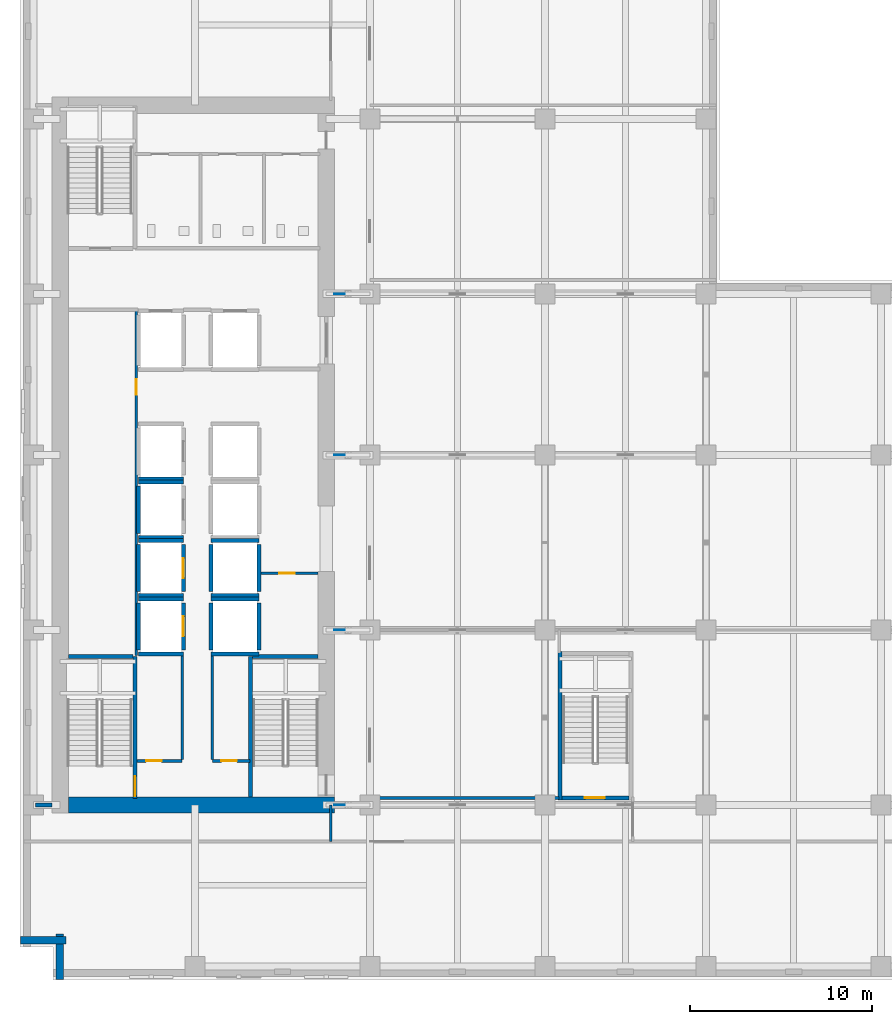
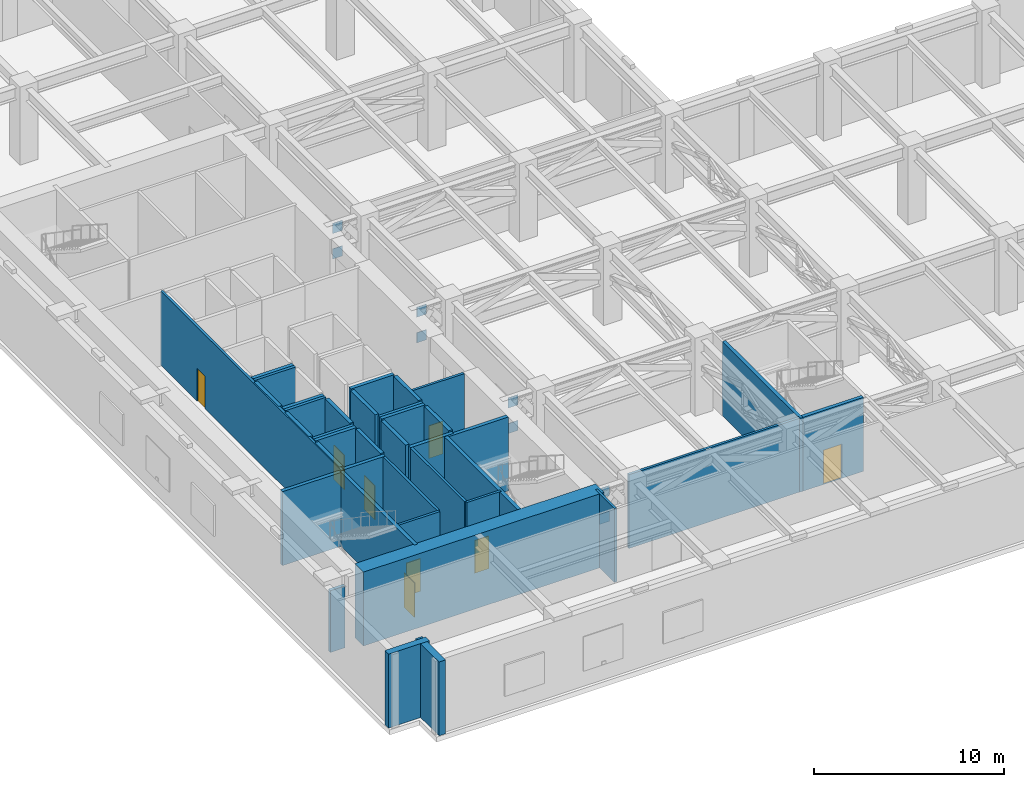
# One storey, part 13 of 22: 38 walls, 8 doors, 8 plates, 8 openings.
"""IFC4 building model written with IfcOpenShell, lengths in metres."""

from ifc_helpers import new_model, si_unit, direction, frame, frame_2d, origin, origin_2d, place, context, subcontext, project, spatial, rectangle, extrude, material, layer, layer_set, type_object, element, fill, save


model = new_model("IFC4")

# Units and contexts
model_context = context("Model", 3, precision=1e-05, world=origin(), true_north=direction((0.0, 1.0)))
body_context = subcontext(model_context, "Body", "Model", "MODEL_VIEW")
ifc_project = project(units=[si_unit("LENGTHUNIT", "METRE"), si_unit("AREAUNIT", "SQUARE_METRE"), si_unit("VOLUMEUNIT", "CUBIC_METRE"), si_unit("PLANEANGLEUNIT", "RADIAN"), si_unit("MASSUNIT", "GRAM", prefix="KILO")], contexts=[model_context])

# Site, building, storey
site_placement = place(None, origin())
site = spatial("IfcSite", under=ifc_project, at=site_placement, CompositionType="ELEMENT")
building_placement = place(site_placement, origin())
building = spatial("IfcBuilding", under=site, at=building_placement, Name="Norrvale University Quadrangle", CompositionType="ELEMENT")
storey_placement = place(building_placement, frame((0.0, 0.0, 96.39990234375)))
storey = spatial("IfcBuildingStorey", under=building, at=storey_placement, Name="L24", CompositionType="ELEMENT", Elevation=96.39990234375)

# Plates
ifc_material_1 = material(Name="Steel 350W", Category="steel")
ifc_layer_1 = layer(ifc_material_1, 0.02490234375, Name="Steel 350W")
ifc_layer_set_1 = layer_set([ifc_layer_1], Name="Steel 350W")
plate_type = type_object("IfcPlateType", Name="Plate Gusset 25", PredefinedType="USERDEFINED", material=ifc_layer_set_1)
for number, where, z_axis, x_axis, name in (
    (1, (17.530029296875, 9.60009765625, 2.425048828125), (0.0, 0.0, 1.0), (1.0, 0.0, 0.0), "Core Outrigger Embedment Gusset L24-1B"),
    (2, (17.530029296875, 9.60009765625, 4.065185546875), (0.0, 0.0, 1.0), (1.0, 0.0, 0.0), "Core Outrigger Embedment Gusset L24-1T"),
    (3, (17.530029296875, 19.199951171875, 2.425048828125), (0.0, 0.0, 1.0), (1.0, 0.0, 0.0), "Core Outrigger Embedment Gusset L24-2B"),
    (4, (17.530029296875, 19.199951171875, 4.065185546875), (0.0, 0.0, 1.0), (1.0, 0.0, 0.0), "Core Outrigger Embedment Gusset L24-2T"),
    (5, (17.530029296875, 28.800048828125, 2.425048828125), (0.0, 0.0, 1.0), (1.0, 0.0, 0.0), "Core Outrigger Embedment Gusset L24-3B"),
    (6, (17.530029296875, 28.800048828125, 4.065185546875), (0.0, 0.0, 1.0), (1.0, 0.0, 0.0), "Core Outrigger Embedment Gusset L24-3T"),
    (7, (17.530029296875, 37.64990234375, 2.425048828125), (0.0, 0.0, 1.0), (1.0, 0.0, 0.0), "Core Outrigger Embedment Gusset L24-4B"),
    (8, (17.530029296875, 37.64990234375, 4.065185546875), (0.0, 0.0, 1.0), (1.0, 0.0, 0.0), "Core Outrigger Embedment Gusset L24-4T"),
):
    element("IfcPlate", number, at=place(storey_placement, frame(where, z_axis=z_axis, x_axis=x_axis)), inside=storey, type_object=plate_type, Name=name, ObjectType="GUSSET_PLATE", PredefinedType="USERDEFINED", context=body_context, shape_type="SweptSolid", body=[
        extrude(rectangle(XDim=0.60009765625, YDim=0.02490234375, at=origin_2d()), origin(), (0.0, 0.0, 1.0), 0.64990234375),
    ])

# Wall
ifc_material_2 = material(Name="Concrete C80/95", Category="concrete")
ifc_layer_2 = layer(ifc_material_2, 0.89990234375, Name="Concrete C80/95")
ifc_layer_set_2 = layer_set([ifc_layer_2], Name="Concrete C80/95")
wall_type_1 = type_object("IfcWallType", Name="Wall Core 900", PredefinedType="SHEAR", material=ifc_layer_set_2)
wall_1_placement = place(storey_placement, frame((2.64990234375, 9.60009765625, 0.0), z_axis=(0.0, 0.0, 1.0), x_axis=(1.0, 0.0, 0.0)))
element("IfcWall", 9, at=wall_1_placement, inside=storey, type_object=wall_type_1, Name="Tower Core Shear Wall L24-S", PredefinedType="SHEAR", context=body_context, shape_type="SweptSolid", body=[
    extrude(rectangle(XDim=14.60009765625, YDim=0.89990234375, at=frame_2d((7.300048828125, 0.0))), origin(), (0.0, 0.0, 1.0), 4.739990234375),
])

# Wall, opening, door
ifc_material_3 = material(Name="Fire-Rated Gypsum Stud Partition")
ifc_layer_3 = layer(ifc_material_3, 0.14990234375, Name="Fire-Rated Gypsum Stud Partition")
ifc_layer_set_3 = layer_set([ifc_layer_3], Name="Fire-Rated Gypsum Stud Partition")
wall_type_2 = type_object("IfcWallType", Name="Wall Gypsum Corridor 150", PredefinedType="PARTITIONING", material=ifc_layer_set_3)
wall_2_placement = place(storey_placement, frame((6.419921875, 12.02001953125, 0.0), z_axis=(0.0, 0.0, 1.0), x_axis=(1.0, 0.0, 0.0)))
wall_2 = element("IfcWall", 10, at=wall_2_placement, inside=storey, type_object=wall_type_2, Name="Interior Partition WL-L24-SC-NL", PredefinedType="PARTITIONING", context=body_context, shape_type="SweptSolid", body=[
    extrude(rectangle(XDim=2.47998046875, YDim=0.14990234375, at=frame_2d((1.239990234375, 0.0))), origin(), (0.0, 0.0, 1.0), 4.739990234375),
])
opening_1_placement = place(wall_2_placement, frame((0.5, 0.0, 0.0)))
opening_1 = element("IfcOpeningElement", 11, at=opening_1_placement, cuts=wall_2, Name="Opening D10", PredefinedType="OPENING", context=body_context, shape_type="SweptSolid", body=[
    extrude(rectangle(XDim=0.85009765625, YDim=2.10009765625, at=frame_2d((0.425048828125, 1.050048828125))), frame((0.0, 0.0869140625, 0.0), z_axis=(0.0, -1.0, 0.0), x_axis=(1.0, 0.0, 0.0)), (0.0, 0.0, 1.0), 0.173828125),
])
ifc_material_4 = material(Name="Hollow Steel 350W Riser Fire Door", Category="steel")
door_type_1 = type_object("IfcDoorType", Name="Door Riser 850x2100", OperationType="NOTDEFINED", PredefinedType="DOOR", material=ifc_material_4)
door_1_placement = place(opening_1_placement, origin())
door_1 = element("IfcDoor", 12, at=door_1_placement, inside=storey, type_object=door_type_1, Name="Door Riser 850x2100 DR-L24-ELEC", OperationType="SINGLE_SWING_LEFT", OverallHeight=2.10009765625, OverallWidth=0.85009765625, PredefinedType="DOOR", context=body_context, shape_type="SweptSolid", body=[
    extrude(rectangle(XDim=0.85009765625, YDim=2.10009765625, at=frame_2d((0.425048828125, 1.050048828125))), frame((0.0, 0.02490234375, 0.0), z_axis=(0.0, -1.0, 0.0), x_axis=(1.0, 0.0, 0.0)), (0.0, 0.0, 1.0), 0.050048828125),
])
fill(opening_1, door_1)

wall_3_placement = place(storey_placement, frame((10.550048828125, 12.02001953125, 0.0), z_axis=(0.0, 0.0, 1.0), x_axis=(1.0, 0.0, 0.0)))
wall_3 = element("IfcWall", 13, at=wall_3_placement, inside=storey, type_object=wall_type_2, Name="Interior Partition WL-L24-SC-NR", PredefinedType="PARTITIONING", context=body_context, shape_type="SweptSolid", body=[
    extrude(rectangle(XDim=2.079833984375, YDim=0.14990234375, at=frame_2d((1.0400390625, 0.0))), origin(), (0.0, 0.0, 1.0), 4.739990234375),
])
opening_2_placement = place(wall_3_placement, frame((0.5, 0.0, 0.0)))
opening_2 = element("IfcOpeningElement", 14, at=opening_2_placement, cuts=wall_3, Name="Opening D10", PredefinedType="OPENING", context=body_context, shape_type="SweptSolid", body=[
    extrude(rectangle(XDim=0.85009765625, YDim=2.10009765625, at=frame_2d((0.425048828125, 1.050048828125))), frame((0.0, 0.0869140625, 0.0), z_axis=(0.0, -1.0, 0.0), x_axis=(1.0, 0.0, 0.0)), (0.0, 0.0, 1.0), 0.173828125),
])
door_2_placement = place(opening_2_placement, origin())
door_2 = element("IfcDoor", 15, at=door_2_placement, inside=storey, type_object=door_type_1, Name="Door Riser 850x2100 DR-L24-IDF", OperationType="SINGLE_SWING_RIGHT", OverallHeight=2.10009765625, OverallWidth=0.85009765625, PredefinedType="DOOR", context=body_context, shape_type="SweptSolid", body=[
    extrude(rectangle(XDim=0.85009765625, YDim=2.10009765625, at=frame_2d((0.425048828125, 1.050048828125))), frame((0.0, 0.02490234375, 0.0), z_axis=(0.0, -1.0, 0.0), x_axis=(1.0, 0.0, 0.0)), (0.0, 0.0, 1.0), 0.050048828125),
])
fill(opening_2, door_2)

# Walls
for number, where, z_axis, x_axis, name in (
    (16, (8.89990234375, 12.094970703125, 0.0), (0.0, 0.0, 1.0), (0.0, 1.0, 0.0), "Interior Partition WL-L24-SC-WL"),
    (17, (10.550048828125, 12.094970703125, 0.0), (0.0, 0.0, 1.0), (0.0, 1.0, 0.0), "Interior Partition WL-L24-SC-WR"),
):
    element("IfcWall", number, at=place(storey_placement, frame(where, z_axis=z_axis, x_axis=x_axis)), inside=storey, type_object=wall_type_2, Name=name, PredefinedType="PARTITIONING", context=body_context, shape_type="SweptSolid", body=[
        extrude(rectangle(XDim=5.679931640625, YDim=0.14990234375, at=frame_2d((2.83984375, 0.0))), origin(), (0.0, 0.0, 1.0), 4.739990234375),
    ])

# Wall, opening, door
wall_4_placement = place(storey_placement, frame((13.22509765625, 22.320068359375, 0.0), z_axis=(0.0, 0.0, 1.0), x_axis=(1.0, 0.0, 0.0)))
wall_4 = element("IfcWall", 18, at=wall_4_placement, inside=storey, type_object=wall_type_2, Name="Interior Partition WL-L24-JAN-N", PredefinedType="PARTITIONING", context=body_context, shape_type="SweptSolid", body=[
    extrude(rectangle(XDim=3.119873046875, YDim=0.14990234375, at=frame_2d((1.56005859375, 0.0))), origin(), (0.0, 0.0, 1.0), 4.739990234375),
])
opening_3_placement = place(wall_4_placement, frame((1.0, 0.0, 0.0)))
opening_3 = element("IfcOpeningElement", 19, at=opening_3_placement, cuts=wall_4, Name="Opening D10", PredefinedType="OPENING", context=body_context, shape_type="SweptSolid", body=[
    extrude(rectangle(XDim=0.85009765625, YDim=2.10009765625, at=frame_2d((0.425048828125, 1.050048828125))), frame((0.0, 0.0869140625, 0.0), z_axis=(0.0, -1.0, 0.0), x_axis=(1.0, 0.0, 0.0)), (0.0, 0.0, 1.0), 0.173828125),
])
door_3_placement = place(opening_3_placement, origin())
door_3 = element("IfcDoor", 20, at=door_3_placement, inside=storey, type_object=door_type_1, Name="Door Riser 850x2100 DR-L24-JAN", OperationType="SINGLE_SWING_LEFT", OverallHeight=2.10009765625, OverallWidth=0.85009765625, PredefinedType="DOOR", context=body_context, shape_type="SweptSolid", body=[
    extrude(rectangle(XDim=0.85009765625, YDim=2.10009765625, at=frame_2d((0.425048828125, 1.050048828125))), frame((0.0, 0.02490234375, 0.0), z_axis=(0.0, -1.0, 0.0), x_axis=(1.0, 0.0, 0.0)), (0.0, 0.0, 1.0), 0.050048828125),
])
fill(opening_3, door_3)

wall_5_placement = place(storey_placement, frame((6.3798828125, 17.800048828125, 0.0), z_axis=(0.0, 0.0, 1.0), x_axis=(0.0, 1.0, 0.0)))
wall_5 = element("IfcWall", 21, at=wall_5_placement, inside=storey, type_object=wall_type_2, Name="Interior Partition WL-L24-WME-E", PredefinedType="PARTITIONING", context=body_context, shape_type="SweptSolid", body=[
    extrude(rectangle(XDim=18.97998046875, YDim=0.14990234375, at=frame_2d((9.489990234375, 0.0))), origin(), (0.0, 0.0, 1.0), 4.739990234375),
])
opening_4_placement = place(wall_5_placement, frame((14.300048828125, 0.0, 0.0)))
opening_4 = element("IfcOpeningElement", 22, at=opening_4_placement, cuts=wall_5, Name="Opening D10", PredefinedType="OPENING", context=body_context, shape_type="SweptSolid", body=[
    extrude(rectangle(XDim=0.85009765625, YDim=2.10009765625, at=frame_2d((0.425048828125, 1.050048828125))), frame((0.0, 0.0869140625, 0.0), z_axis=(0.0, -1.0, 0.0), x_axis=(1.0, 0.0, 0.0)), (0.0, 0.0, 1.0), 0.173828125),
])
door_4_placement = place(opening_4_placement, origin())
door_4 = element("IfcDoor", 23, at=door_4_placement, inside=storey, type_object=door_type_1, Name="Door Riser 850x2100 DR-L24-WME", OperationType="SINGLE_SWING_LEFT", OverallHeight=2.10009765625, OverallWidth=0.85009765625, PredefinedType="DOOR", context=body_context, shape_type="SweptSolid", body=[
    extrude(rectangle(XDim=0.85009765625, YDim=2.10009765625, at=frame_2d((0.425048828125, 1.050048828125))), frame((0.0, 0.02490234375, 0.0), z_axis=(0.0, -1.0, 0.0), x_axis=(1.0, 0.0, 0.0)), (0.0, 0.0, 1.0), 0.050048828125),
])
fill(opening_4, door_4)

# Walls
wall_6_placement = place(storey_placement, frame((17.050048828125, 7.60009765625, 0.0), z_axis=(0.0, 0.0, 1.0), x_axis=(0.0, 1.0, 0.0)))
element("IfcWall", 24, at=wall_6_placement, inside=storey, type_object=wall_type_2, Name="Interior Partition WL-L24-PCSW", PredefinedType="PARTITIONING", context=body_context, shape_type="SweptSolid", body=[
    extrude(rectangle(XDim=2.0, YDim=0.14990234375, at=frame_2d((1.0, 0.0))), origin(), (0.0, 0.0, 1.0), 4.739990234375),
])
wall_7_placement = place(storey_placement, frame((19.199951171875, 9.97998046875, 0.0), z_axis=(0.0, 0.0, 1.0), x_axis=(1.0, 0.0, 0.0)))
element("IfcWall", 25, at=wall_7_placement, inside=storey, type_object=wall_type_2, Name="Interior Partition WL-L24-SUB-S", PredefinedType="PARTITIONING", context=body_context, shape_type="SweptSolid", body=[
    extrude(rectangle(XDim=10.380126953125, YDim=0.14990234375, at=frame_2d((5.18994140625, 0.0))), origin(), (0.0, 0.0, 1.0), 4.739990234375),
])
ifc_material_5 = material(Name="Concrete Blockwork 20 MPa Rated Wall", Category="masonry")
ifc_layer_4 = layer(ifc_material_5, 0.199951171875, Name="Concrete Blockwork 20 MPa Rated Wall")
ifc_layer_set_4 = layer_set([ifc_layer_4], Name="Concrete Blockwork 20 MPa Rated Wall")
wall_type_3 = type_object("IfcWallType", Name="Wall Lobby 200", PredefinedType="SOLIDWALL", material=ifc_layer_set_4)
wall_8_placement = place(storey_placement, frame((0.85009765625, 9.60009765625, 0.0), z_axis=(0.0, 0.0, 1.0), x_axis=(1.0, 0.0, 0.0)))
element("IfcWall", 26, at=wall_8_placement, inside=storey, type_object=wall_type_3, Name="Interior Partition WL-L24-CWRET-S", PredefinedType="SOLIDWALL", context=body_context, shape_type="SweptSolid", body=[
    extrude(rectangle(XDim=0.89501953125, YDim=0.199951171875, at=frame_2d((0.447509765625, 0.0))), origin(), (0.0, 0.0, 1.0), 3.967041015625),
])
ifc_material_6 = material(Name="Red Manganese Brick Masonry", Category="masonry")
ifc_layer_5 = layer(ifc_material_6, 0.39990234375, Name="Red Manganese Brick Masonry")
ifc_layer_set_5 = layer_set([ifc_layer_5], Name="Red Manganese Brick Masonry")
wall_type_4 = type_object("IfcWallType", Name="Wall Red Brick 400", PredefinedType="SOLIDWALL", material=ifc_layer_set_5)
for number, where, z_axis, x_axis, name in (
    (27, (0.0400390625, 2.179931640625, 0.0), (0.0, 0.0, 1.0), (1.0, 0.0, 0.0), "Exterior Brick Facade Wall L24-15.1"),
    (28, (2.179931640625, 2.52001953125, 0.0), (0.0, 0.0, 1.0), (0.0, -1.0, 0.0), "Exterior Brick Facade Wall L24-16.1"),
):
    element("IfcWall", number, at=place(storey_placement, frame(where, z_axis=z_axis, x_axis=x_axis)), inside=storey, type_object=wall_type_4, Name=name, PredefinedType="SOLIDWALL", context=body_context, shape_type="SweptSolid", body=[
        extrude(rectangle(XDim=2.47998046875, YDim=0.39990234375, at=frame_2d((1.239990234375, 0.0))), origin(), (0.0, 0.0, 1.0), 4.739990234375),
    ])

# Wall, opening, door
ifc_material_7 = material(Name="Concrete Blockwork 20 MPa Fire Shaft", Category="masonry")
ifc_layer_6 = layer(ifc_material_7, 0.219970703125, Name="Concrete Blockwork 20 MPa Fire Shaft")
ifc_layer_set_6 = layer_set([ifc_layer_6], Name="Concrete Blockwork 20 MPa Fire Shaft")
wall_type_5 = type_object("IfcWallType", Name="Wall Shaft 220", PredefinedType="SOLIDWALL", material=ifc_layer_set_6)
wall_9_placement = place(storey_placement, frame((6.31005859375, 9.949951171875, 0.0), z_axis=(0.0, 0.0, 1.0), x_axis=(0.0, 1.0, 0.0)))
wall_9 = element("IfcWall", 29, at=wall_9_placement, inside=storey, type_object=wall_type_5, Name="Stair ST-01 East Shaft Wall L24", PredefinedType="SOLIDWALL", context=body_context, shape_type="SweptSolid", body=[
    extrude(rectangle(XDim=7.81005859375, YDim=0.219970703125, at=frame_2d((3.905029296875, 0.0))), origin(), (0.0, 0.0, 1.0), 4.739990234375),
])
opening_5_placement = place(wall_9_placement, frame((0.139892578125, 0.0, 0.0)))
opening_5 = element("IfcOpeningElement", 30, at=opening_5_placement, cuts=wall_9, Name="Opening D02", PredefinedType="OPENING", context=body_context, shape_type="SweptSolid", body=[
    extrude(rectangle(XDim=1.10009765625, YDim=2.199951171875, at=frame_2d((0.550048828125, 1.10009765625))), frame((0.0, 0.1220703125, 0.0), z_axis=(0.0, -1.0, 0.0), x_axis=(1.0, 0.0, 0.0)), (0.0, 0.0, 1.0), 0.243896484375),
])
ifc_material_8 = material(Name="Hollow Steel 350W Fire Door", Category="steel")
door_type_2 = type_object("IfcDoorType", Name="Door Stair Exit 1100x2200", OperationType="NOTDEFINED", PredefinedType="DOOR", material=ifc_material_8)
door_5_placement = place(opening_5_placement, origin())
door_5 = element("IfcDoor", 31, at=door_5_placement, inside=storey, type_object=door_type_2, Name="Door Stair Exit 1100x2200 DR-L24-ST01", OperationType="SINGLE_SWING_LEFT", OverallHeight=2.199951171875, OverallWidth=1.10009765625, PredefinedType="DOOR", context=body_context, shape_type="SweptSolid", body=[
    extrude(rectangle(XDim=1.10009765625, YDim=2.199951171875, at=frame_2d((0.550048828125, 1.10009765625))), frame((0.0, 0.02490234375, 0.0), z_axis=(0.0, -1.0, 0.0), x_axis=(1.0, 0.0, 0.0)), (0.0, 0.0, 1.0), 0.050048828125),
])
fill(opening_5, door_5)

# Walls
wall_10_placement = place(storey_placement, frame((2.64990234375, 17.760009765625, 0.0), z_axis=(0.0, 0.0, 1.0), x_axis=(1.0, 0.0, 0.0)))
element("IfcWall", 32, at=wall_10_placement, inside=storey, type_object=wall_type_5, Name="Stair ST-01 North Shaft Wall L24", PredefinedType="SOLIDWALL", context=body_context, shape_type="SweptSolid", body=[
    extrude(rectangle(XDim=3.550048828125, YDim=0.219970703125, at=frame_2d((1.77490234375, 0.0))), origin(), (0.0, 0.0, 1.0), 4.739990234375),
])
wall_11_placement = place(storey_placement, frame((12.639892578125, 10.050048828125, 0.0), z_axis=(0.0, 0.0, 1.0), x_axis=(0.0, 1.0, 0.0)))
element("IfcWall", 33, at=wall_11_placement, inside=storey, type_object=wall_type_5, Name="Stair ST-03 West Shaft Wall L24", PredefinedType="SOLIDWALL", context=body_context, shape_type="SweptSolid", body=[
    extrude(rectangle(XDim=7.7099609375, YDim=0.219970703125, at=frame_2d((3.85498046875, 0.0))), origin(), (0.0, 0.0, 1.0), 4.739990234375),
])
wall_12_placement = place(storey_placement, frame((12.75, 17.760009765625, 0.0), z_axis=(0.0, 0.0, 1.0), x_axis=(1.0, 0.0, 0.0)))
element("IfcWall", 34, at=wall_12_placement, inside=storey, type_object=wall_type_5, Name="Stair ST-03 North Shaft Wall L24", PredefinedType="SOLIDWALL", context=body_context, shape_type="SweptSolid", body=[
    extrude(rectangle(XDim=3.60009765625, YDim=0.219970703125, at=frame_2d((1.800048828125, 0.0))), origin(), (0.0, 0.0, 1.0), 4.739990234375),
])

# Wall, opening, door
wall_13_placement = place(storey_placement, frame((29.75, 9.989990234375, 0.0), z_axis=(0.0, 0.0, 1.0), x_axis=(1.0, 0.0, 0.0)))
wall_13 = element("IfcWall", 35, at=wall_13_placement, inside=storey, type_object=wall_type_5, Name="Stair ST-04 South Shaft Wall L24", PredefinedType="SOLIDWALL", context=body_context, shape_type="SweptSolid", body=[
    extrude(rectangle(XDim=3.64990234375, YDim=0.219970703125, at=frame_2d((1.824951171875, 0.0))), origin(), (0.0, 0.0, 1.0), 4.739990234375),
])
opening_6_placement = place(wall_13_placement, frame((1.239990234375, 0.0, 0.0)))
opening_6 = element("IfcOpeningElement", 36, at=opening_6_placement, cuts=wall_13, Name="Opening D02", PredefinedType="OPENING", context=body_context, shape_type="SweptSolid", body=[
    extrude(rectangle(XDim=1.10009765625, YDim=2.199951171875, at=frame_2d((0.550048828125, 1.10009765625))), frame((0.0, 0.1220703125, 0.0), z_axis=(0.0, -1.0, 0.0), x_axis=(1.0, 0.0, 0.0)), (0.0, 0.0, 1.0), 0.243896484375),
])
door_6_placement = place(opening_6_placement, origin())
door_6 = element("IfcDoor", 37, at=door_6_placement, inside=storey, type_object=door_type_2, Name="Door Stair Exit 1100x2200 DR-L24-ST04", OperationType="SINGLE_SWING_LEFT", OverallHeight=2.199951171875, OverallWidth=1.10009765625, PredefinedType="DOOR", context=body_context, shape_type="SweptSolid", body=[
    extrude(rectangle(XDim=1.10009765625, YDim=2.199951171875, at=frame_2d((0.550048828125, 1.10009765625))), frame((0.0, 0.02490234375, 0.0), z_axis=(0.0, -1.0, 0.0), x_axis=(1.0, 0.0, 0.0)), (0.0, 0.0, 1.0), 0.050048828125),
])
fill(opening_6, door_6)

# Walls
wall_14_placement = place(storey_placement, frame((29.639892578125, 9.8798828125, 0.0), z_axis=(0.0, 0.0, 1.0), x_axis=(0.0, 1.0, 0.0)))
element("IfcWall", 38, at=wall_14_placement, inside=storey, type_object=wall_type_5, Name="Stair ST-04 West Shaft Wall L24", PredefinedType="SOLIDWALL", context=body_context, shape_type="SweptSolid", body=[
    extrude(rectangle(XDim=8.14013671875, YDim=0.219970703125, at=frame_2d((4.070068359375, 0.0))), origin(), (0.0, 0.0, 1.0), 4.739990234375),
])
wall_15_placement = place(storey_placement, frame((6.489990234375, 18.110107421875, 0.0), z_axis=(0.0, 0.0, 1.0), x_axis=(0.0, 1.0, 0.0)))
element("IfcWall", 39, at=wall_15_placement, inside=storey, type_object=wall_type_5, Name="Hoistway PL-01 West Wall L24", PredefinedType="SOLIDWALL", context=body_context, shape_type="SweptSolid", body=[
    extrude(rectangle(XDim=2.579833984375, YDim=0.219970703125, at=frame_2d((1.2900390625, 0.0))), origin(), (0.0, 0.0, 1.0), 4.739990234375),
])

# Wall, opening, door
wall_16_placement = place(storey_placement, frame((8.9599609375, 18.110107421875, 0.0), z_axis=(0.0, 0.0, 1.0), x_axis=(0.0, 1.0, 0.0)))
wall_16 = element("IfcWall", 40, at=wall_16_placement, inside=storey, type_object=wall_type_5, Name="Hoistway PL-01 East Wall L24", PredefinedType="SOLIDWALL", context=body_context, shape_type="SweptSolid", body=[
    extrude(rectangle(XDim=2.579833984375, YDim=0.219970703125, at=frame_2d((1.2900390625, 0.0))), origin(), (0.0, 0.0, 1.0), 4.739990234375),
])
opening_7_placement = place(wall_16_placement, frame((0.739990234375, 0.0, 0.0)))
opening_7 = element("IfcOpeningElement", 41, at=opening_7_placement, cuts=wall_16, Name="Opening LD1", PredefinedType="OPENING", context=body_context, shape_type="SweptSolid", body=[
    extrude(rectangle(XDim=1.10009765625, YDim=2.199951171875, at=frame_2d((0.550048828125, 1.10009765625))), frame((0.0, 0.1220703125, 0.0), z_axis=(0.0, -1.0, 0.0), x_axis=(1.0, 0.0, 0.0)), (0.0, 0.0, 1.0), 0.243896484375),
])
ifc_material_9 = material(Name="Stainless Steel 316L Lift Landing Door", Category="steel")
door_type_3 = type_object("IfcDoorType", Name="Door Lift Landing 1100x2200", OperationType="DOUBLE_DOOR_SLIDING", PredefinedType="DOOR", material=ifc_material_9)
door_7_placement = place(opening_7_placement, origin())
door_7 = element("IfcDoor", 42, at=door_7_placement, inside=storey, type_object=door_type_3, Name="Elevator Landing Door DR-L24-PL-01", OperationType="DOUBLE_DOOR_SLIDING", OverallHeight=2.199951171875, OverallWidth=1.10009765625, PredefinedType="DOOR", context=body_context, shape_type="SweptSolid", body=[
    extrude(rectangle(XDim=1.10009765625, YDim=2.199951171875, at=frame_2d((0.550048828125, 1.10009765625))), frame((0.0, 0.02490234375, 0.0), z_axis=(0.0, -1.0, 0.0), x_axis=(1.0, 0.0, 0.0)), (0.0, 0.0, 1.0), 0.050048828125),
])
fill(opening_7, door_7)

# Walls
for number, where, z_axis, x_axis, name in (
    (43, (6.489990234375, 17.889892578125, 0.0), (0.0, 0.0, 1.0), (1.0, 0.0, 0.0), "Hoistway PL-01 South Wall L24"),
    (44, (6.489990234375, 20.909912109375, 0.0), (0.0, 0.0, 1.0), (1.0, 0.0, 0.0), "Hoistway PL-01 North Wall L24"),
):
    element("IfcWall", number, at=place(storey_placement, frame(where, z_axis=z_axis, x_axis=x_axis)), inside=storey, type_object=wall_type_5, Name=name, PredefinedType="SOLIDWALL", context=body_context, shape_type="SweptSolid", body=[
        extrude(rectangle(XDim=2.469970703125, YDim=0.219970703125, at=frame_2d((1.23486328125, 0.0))), origin(), (0.0, 0.0, 1.0), 4.739990234375),
    ])
wall_17_placement = place(storey_placement, frame((6.489990234375, 21.31005859375, 0.0), z_axis=(0.0, 0.0, 1.0), x_axis=(0.0, 1.0, 0.0)))
element("IfcWall", 45, at=wall_17_placement, inside=storey, type_object=wall_type_5, Name="Hoistway PL-02 West Wall L24", PredefinedType="SOLIDWALL", context=body_context, shape_type="SweptSolid", body=[
    extrude(rectangle(XDim=2.579833984375, YDim=0.219970703125, at=frame_2d((1.2900390625, 0.0))), origin(), (0.0, 0.0, 1.0), 4.739990234375),
])

# Wall, opening, door
wall_18_placement = place(storey_placement, frame((8.9599609375, 21.31005859375, 0.0), z_axis=(0.0, 0.0, 1.0), x_axis=(0.0, 1.0, 0.0)))
wall_18 = element("IfcWall", 46, at=wall_18_placement, inside=storey, type_object=wall_type_5, Name="Hoistway PL-02 East Wall L24", PredefinedType="SOLIDWALL", context=body_context, shape_type="SweptSolid", body=[
    extrude(rectangle(XDim=2.579833984375, YDim=0.219970703125, at=frame_2d((1.2900390625, 0.0))), origin(), (0.0, 0.0, 1.0), 4.739990234375),
])
opening_8_placement = place(wall_18_placement, frame((0.739990234375, 0.0, 0.0)))
opening_8 = element("IfcOpeningElement", 47, at=opening_8_placement, cuts=wall_18, Name="Opening LD1", PredefinedType="OPENING", context=body_context, shape_type="SweptSolid", body=[
    extrude(rectangle(XDim=1.10009765625, YDim=2.199951171875, at=frame_2d((0.550048828125, 1.10009765625))), frame((0.0, 0.1220703125, 0.0), z_axis=(0.0, -1.0, 0.0), x_axis=(1.0, 0.0, 0.0)), (0.0, 0.0, 1.0), 0.243896484375),
])
door_8_placement = place(opening_8_placement, origin())
door_8 = element("IfcDoor", 48, at=door_8_placement, inside=storey, type_object=door_type_3, Name="Elevator Landing Door DR-L24-PL-02", OperationType="DOUBLE_DOOR_SLIDING", OverallHeight=2.199951171875, OverallWidth=1.10009765625, PredefinedType="DOOR", context=body_context, shape_type="SweptSolid", body=[
    extrude(rectangle(XDim=1.10009765625, YDim=2.199951171875, at=frame_2d((0.550048828125, 1.10009765625))), frame((0.0, 0.02490234375, 0.0), z_axis=(0.0, -1.0, 0.0), x_axis=(1.0, 0.0, 0.0)), (0.0, 0.0, 1.0), 0.050048828125),
])
fill(opening_8, door_8)

# Walls
for number, where, z_axis, x_axis, name in (
    (49, (6.489990234375, 21.090087890625, 0.0), (0.0, 0.0, 1.0), (1.0, 0.0, 0.0), "Hoistway PL-02 South Wall L24"),
    (50, (6.489990234375, 24.110107421875, 0.0), (0.0, 0.0, 1.0), (1.0, 0.0, 0.0), "Hoistway PL-02 North Wall L24"),
):
    element("IfcWall", number, at=place(storey_placement, frame(where, z_axis=z_axis, x_axis=x_axis)), inside=storey, type_object=wall_type_5, Name=name, PredefinedType="SOLIDWALL", context=body_context, shape_type="SweptSolid", body=[
        extrude(rectangle(XDim=2.469970703125, YDim=0.219970703125, at=frame_2d((1.23486328125, 0.0))), origin(), (0.0, 0.0, 1.0), 4.739990234375),
    ])
wall_19_placement = place(storey_placement, frame((6.489990234375, 24.510009765625, 0.0), z_axis=(0.0, 0.0, 1.0), x_axis=(0.0, 1.0, 0.0)))
element("IfcWall", 51, at=wall_19_placement, inside=storey, type_object=wall_type_5, Name="Hoistway PL-03 West Wall L24", PredefinedType="SOLIDWALL", context=body_context, shape_type="SweptSolid", body=[
    extrude(rectangle(XDim=2.580078125, YDim=0.219970703125, at=frame_2d((1.2900390625, 0.0))), origin(), (0.0, 0.0, 1.0), 4.739990234375),
])
for number, where, z_axis, x_axis, name in (
    (52, (6.489990234375, 24.2900390625, 0.0), (0.0, 0.0, 1.0), (1.0, 0.0, 0.0), "Hoistway PL-03 South Wall L24"),
    (53, (6.489990234375, 27.31005859375, 0.0), (0.0, 0.0, 1.0), (1.0, 0.0, 0.0), "Hoistway PL-03 North Wall L24"),
    (54, (6.489990234375, 27.489990234375, 0.0), (0.0, 0.0, 1.0), (1.0, 0.0, 0.0), "Hoistway PL-04 South Wall L24"),
):
    element("IfcWall", number, at=place(storey_placement, frame(where, z_axis=z_axis, x_axis=x_axis)), inside=storey, type_object=wall_type_5, Name=name, PredefinedType="SOLIDWALL", context=body_context, shape_type="SweptSolid", body=[
        extrude(rectangle(XDim=2.469970703125, YDim=0.219970703125, at=frame_2d((1.23486328125, 0.0))), origin(), (0.0, 0.0, 1.0), 4.739990234375),
    ])
for number, where, z_axis, x_axis, name in (
    (55, (10.489990234375, 18.110107421875, 0.0), (0.0, 0.0, 1.0), (0.0, 1.0, 0.0), "Hoistway PL-05 West Wall L24"),
    (56, (13.110107421875, 18.110107421875, 0.0), (0.0, 0.0, 1.0), (0.0, 1.0, 0.0), "Hoistway PL-05 East Wall L24"),
):
    element("IfcWall", number, at=place(storey_placement, frame(where, z_axis=z_axis, x_axis=x_axis)), inside=storey, type_object=wall_type_5, Name=name, PredefinedType="SOLIDWALL", context=body_context, shape_type="SweptSolid", body=[
        extrude(rectangle(XDim=2.579833984375, YDim=0.219970703125, at=frame_2d((1.2900390625, 0.0))), origin(), (0.0, 0.0, 1.0), 4.739990234375),
    ])
for number, where, z_axis, x_axis, name in (
    (57, (10.489990234375, 17.889892578125, 0.0), (0.0, 0.0, 1.0), (1.0, 0.0, 0.0), "Hoistway PL-05 South Wall L24"),
    (58, (10.489990234375, 20.909912109375, 0.0), (0.0, 0.0, 1.0), (1.0, 0.0, 0.0), "Hoistway PL-05 North Wall L24"),
):
    element("IfcWall", number, at=place(storey_placement, frame(where, z_axis=z_axis, x_axis=x_axis)), inside=storey, type_object=wall_type_5, Name=name, PredefinedType="SOLIDWALL", context=body_context, shape_type="SweptSolid", body=[
        extrude(rectangle(XDim=2.6201171875, YDim=0.219970703125, at=frame_2d((1.31005859375, 0.0))), origin(), (0.0, 0.0, 1.0), 4.739990234375),
    ])
for number, where, z_axis, x_axis, name in (
    (59, (10.489990234375, 21.31005859375, 0.0), (0.0, 0.0, 1.0), (0.0, 1.0, 0.0), "Hoistway PL-06 West Wall L24"),
    (60, (13.110107421875, 21.31005859375, 0.0), (0.0, 0.0, 1.0), (0.0, 1.0, 0.0), "Hoistway PL-06 East Wall L24"),
):
    element("IfcWall", number, at=place(storey_placement, frame(where, z_axis=z_axis, x_axis=x_axis)), inside=storey, type_object=wall_type_5, Name=name, PredefinedType="SOLIDWALL", context=body_context, shape_type="SweptSolid", body=[
        extrude(rectangle(XDim=2.579833984375, YDim=0.219970703125, at=frame_2d((1.2900390625, 0.0))), origin(), (0.0, 0.0, 1.0), 4.739990234375),
    ])
for number, where, z_axis, x_axis, name in (
    (61, (10.489990234375, 21.090087890625, 0.0), (0.0, 0.0, 1.0), (1.0, 0.0, 0.0), "Hoistway PL-06 South Wall L24"),
    (62, (10.489990234375, 24.110107421875, 0.0), (0.0, 0.0, 1.0), (1.0, 0.0, 0.0), "Hoistway PL-06 North Wall L24"),
):
    element("IfcWall", number, at=place(storey_placement, frame(where, z_axis=z_axis, x_axis=x_axis)), inside=storey, type_object=wall_type_5, Name=name, PredefinedType="SOLIDWALL", context=body_context, shape_type="SweptSolid", body=[
        extrude(rectangle(XDim=2.6201171875, YDim=0.219970703125, at=frame_2d((1.31005859375, 0.0))), origin(), (0.0, 0.0, 1.0), 4.739990234375),
    ])

save(model, "model.ifc")
